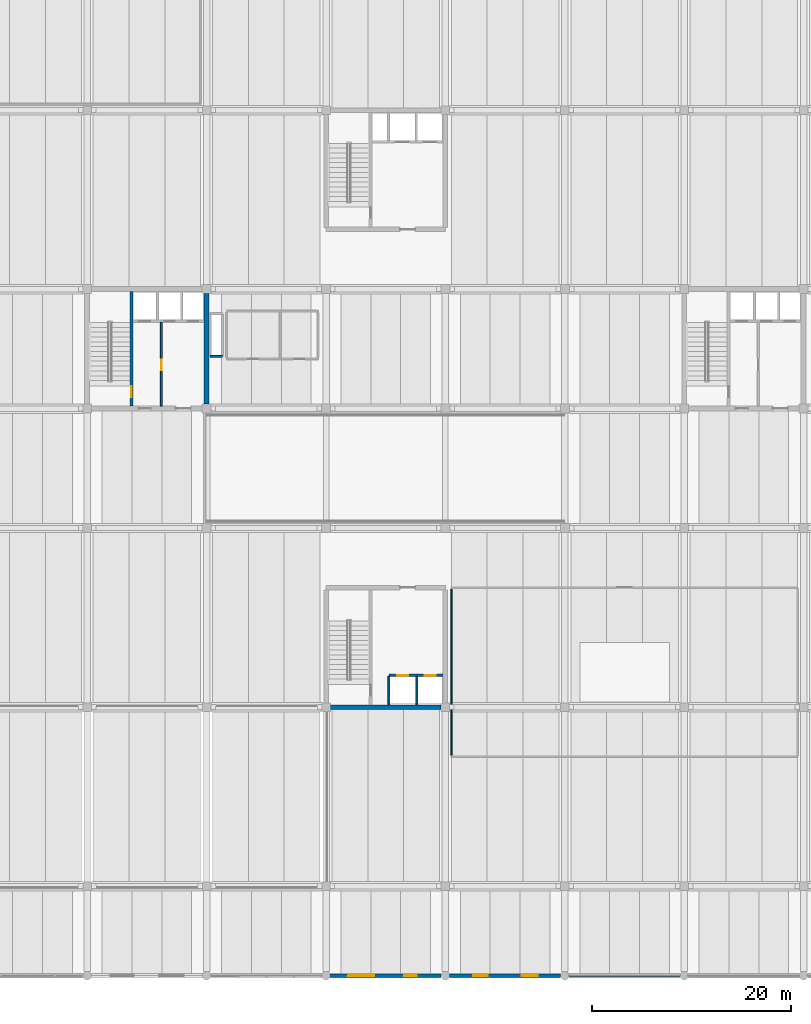
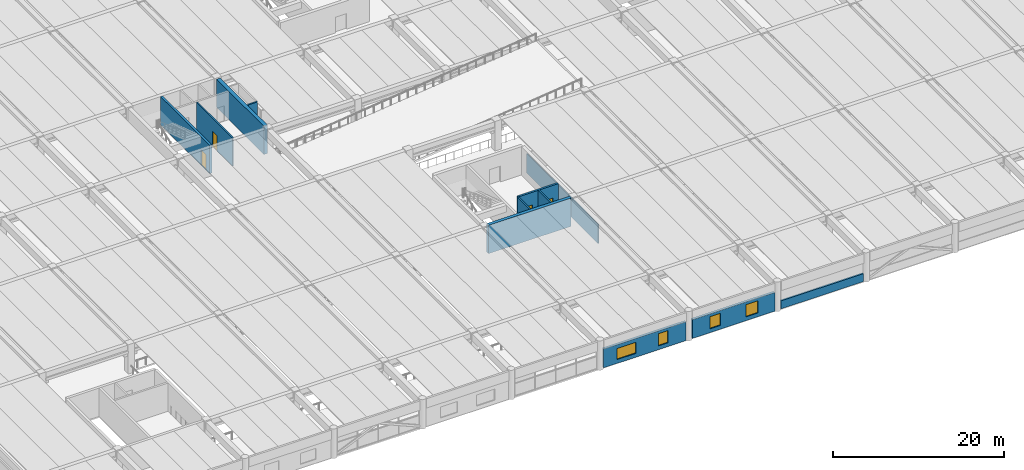
# One storey, part 34 of 50: 12 walls, 4 doors, 4 windows, 8 openings.
"""IFC4 building model written with IfcOpenShell, lengths in metres."""

from ifc_helpers import new_model, si_unit, direction, frame, frame_2d, origin, place, context, subcontext, project, spatial, rectangle, extrude, material, layer, layer_set, type_object, element, fill, save


model = new_model("IFC4")

# Units and contexts
model_context = context("Model", 3, precision=1e-05, world=origin(), true_north=direction((0.0, 1.0)))
body_context = subcontext(model_context, "Body", "Model", "MODEL_VIEW")
ifc_project = project(units=[si_unit("LENGTHUNIT", "METRE"), si_unit("AREAUNIT", "SQUARE_METRE"), si_unit("VOLUMEUNIT", "CUBIC_METRE"), si_unit("PLANEANGLEUNIT", "RADIAN"), si_unit("MASSUNIT", "GRAM", prefix="KILO")], contexts=[model_context])

# Site, building, storey
site_placement = place(None, origin())
site = spatial("IfcSite", under=ifc_project, at=site_placement, CompositionType="ELEMENT")
building_placement = place(site_placement, origin())
building = spatial("IfcBuilding", under=site, at=building_placement, Name="Girod Span Mobility Hub", CompositionType="ELEMENT")
storey_placement = place(building_placement, frame((0.0, 0.0, 5.39990234375)))
storey = spatial("IfcBuildingStorey", under=building, at=storey_placement, Name="L01", CompositionType="ELEMENT", Elevation=5.39990234375)

# Walls
ifc_material_1 = material(Name="Concrete C40/50", Category="concrete")
ifc_layer_1 = layer(ifc_material_1, 0.449951171875)
ifc_layer_set_1 = layer_set([ifc_layer_1], Name="Concrete C40/50")
wall_type_1 = type_object("IfcWallType", Name="W-CW-450", PredefinedType="SHEAR", material=ifc_layer_set_1)
wall_1_placement = place(storey_placement, frame((72.422119140625, 27.0, 0.0), z_axis=(0.0, 0.0, 1.0), x_axis=(1.0, 0.0, 0.0)))
element("IfcWall", 1, at=wall_1_placement, inside=storey, type_object=wall_type_1, Name="Core C3 Shear Wall S L01", PredefinedType="SHEAR", context=body_context, shape_type="SweptSolid", body=[
    extrude(rectangle(XDim=11.15576171875, YDim=0.449951171875, at=frame_2d((5.577880859375, 0.0))), origin(), (0.0, 0.0, 1.0), 4.043212890625),
])
ifc_material_2 = material(Name="Concrete C40/50", Category="concrete")
ifc_layer_2 = layer(ifc_material_2, 0.5)
ifc_layer_set_2 = layer_set([ifc_layer_2], Name="Concrete C40/50")
wall_type_2 = type_object("IfcWallType", Name="W-CW-500", PredefinedType="SHEAR", material=ifc_layer_set_2)
wall_2_placement = place(storey_placement, frame((60.0, 57.447021484375, 0.0), z_axis=(0.0, 0.0, 1.0), x_axis=(0.0, 1.0, 0.0)))
element("IfcWall", 2, at=wall_2_placement, inside=storey, type_object=wall_type_2, Name="Core C1 Shear Wall E L01", PredefinedType="SHEAR", context=body_context, shape_type="SweptSolid", body=[
    extrude(rectangle(XDim=11.10595703125, YDim=0.5, at=frame_2d((5.552978515625, 0.0))), origin(), (0.0, 0.0, 1.0), 4.043212890625),
])

# Wall, openings, windows
ifc_material_3 = material(Name="Precast Architectural Concrete C40/50", Category="concrete")
ifc_layer_3 = layer(ifc_material_3, 0.320068359375)
ifc_layer_set_3 = layer_set([ifc_layer_3], Name="Precast Architectural Concrete C40/50")
wall_type_3 = type_object("IfcWallType", Name="W-EXT-320", PredefinedType="SOLIDWALL", material=ifc_layer_set_3)
wall_3_placement = place(storey_placement, frame((72.423095703125, 0.0, 0.0), z_axis=(0.0, 0.0, 1.0), x_axis=(1.0, 0.0, 0.0)))
wall_3 = element("IfcWall", 3, at=wall_3_placement, inside=storey, type_object=wall_type_3, Name="Exterior Insulated Precast Wall S-7 L01", PredefinedType="SOLIDWALL", context=body_context, shape_type="SweptSolid", body=[
    extrude(rectangle(XDim=11.15380859375, YDim=0.320068359375, at=frame_2d((5.576904296875, 0.0))), origin(), (0.0, 0.0, 1.0), 2.690185546875),
])
opening_1_placement = place(wall_3_placement, frame((1.7900390625, 0.0, 0.550048828125)))
opening_1 = element("IfcOpeningElement", 4, at=opening_1_placement, cuts=wall_3, Name="Opening W-L01-S06A", PredefinedType="OPENING", context=body_context, shape_type="SweptSolid", body=[
    extrude(rectangle(XDim=2.6201171875, YDim=1.580078125, at=frame_2d((1.31005859375, 0.7900390625))), frame((0.0, 0.175048828125, 0.0), z_axis=(0.0, -1.0, 0.0), x_axis=(1.0, 0.0, 0.0)), (0.0, 0.0, 1.0), 0.35009765625),
])
opening_2_placement = place(wall_3_placement, frame((7.4140625, 0.0, 0.550048828125)))
opening_2 = element("IfcOpeningElement", 5, at=opening_2_placement, cuts=wall_3, Name="Opening W-L01-S06B", PredefinedType="OPENING", context=body_context, shape_type="SweptSolid", body=[
    extrude(rectangle(XDim=1.280029296875, YDim=1.739990234375, at=frame_2d((0.64013671875, 0.8701171875))), frame((0.0, 0.175048828125, 0.0), z_axis=(0.0, -1.0, 0.0), x_axis=(1.0, 0.0, 0.0)), (0.0, 0.0, 1.0), 0.35009765625),
])
ifc_material_4 = material(Name="Double Low-E Insulated Glazing", Category="glass")
window_type_1 = type_object("IfcWindowType", Name="WN-30", PartitioningType="DOUBLE_PANEL_VERTICAL", PredefinedType="WINDOW", material=ifc_material_4)
window_1_placement = place(opening_1_placement, origin())
window_1 = element("IfcWindow", 6, at=window_1_placement, inside=storey, type_object=window_type_1, Name="Gallery Window WN-30", OverallHeight=1.580078125, OverallWidth=2.6201171875, PartitioningType="DOUBLE_PANEL_VERTICAL", PredefinedType="WINDOW", context=body_context, shape_type="SweptSolid", body=[
    extrude(rectangle(XDim=2.6201171875, YDim=1.580078125, at=frame_2d((1.31005859375, 0.7900390625))), frame((0.0, 0.030029296875, 0.0), z_axis=(0.0, -1.0, 0.0), x_axis=(1.0, 0.0, 0.0)), (0.0, 0.0, 1.0), 0.06005859375),
])
fill(opening_1, window_1)
ifc_material_5 = material(Name="Double Low-E Insulated Glazing", Category="glass")
window_type_2 = type_object("IfcWindowType", Name="WN-31", PartitioningType="SINGLE_PANEL", PredefinedType="WINDOW", material=ifc_material_5)
window_2_placement = place(opening_2_placement, origin())
window_2 = element("IfcWindow", 7, at=window_2_placement, inside=storey, type_object=window_type_2, Name="Gallery Window WN-31", OverallHeight=1.739990234375, OverallWidth=1.280029296875, PartitioningType="SINGLE_PANEL", PredefinedType="WINDOW", context=body_context, shape_type="SweptSolid", body=[
    extrude(rectangle(XDim=1.280029296875, YDim=1.739990234375, at=frame_2d((0.64013671875, 0.8701171875))), frame((0.0, 0.030029296875, 0.0), z_axis=(0.0, -1.0, 0.0), x_axis=(1.0, 0.0, 0.0)), (0.0, 0.0, 1.0), 0.06005859375),
])
fill(opening_2, window_2)

wall_4_placement = place(storey_placement, frame((84.423095703125, 0.0, 0.0), z_axis=(0.0, 0.0, 1.0), x_axis=(1.0, 0.0, 0.0)))
wall_4 = element("IfcWall", 8, at=wall_4_placement, inside=storey, type_object=wall_type_3, Name="Exterior Insulated Precast Wall S-8 L01", PredefinedType="SOLIDWALL", context=body_context, shape_type="SweptSolid", body=[
    extrude(rectangle(XDim=11.15380859375, YDim=0.320068359375, at=frame_2d((5.576904296875, 0.0))), origin(), (0.0, 0.0, 1.0), 2.690185546875),
])
opening_3_placement = place(wall_4_placement, frame((2.3701171875, 0.0, 0.550048828125)))
opening_3 = element("IfcOpeningElement", 9, at=opening_3_placement, cuts=wall_4, Name="Opening W-L01-S07A", PredefinedType="OPENING", context=body_context, shape_type="SweptSolid", body=[
    extrude(rectangle(XDim=1.4599609375, YDim=1.739990234375, at=frame_2d((0.72998046875, 0.8701171875))), frame((0.0, 0.175048828125, 0.0), z_axis=(0.0, -1.0, 0.0), x_axis=(1.0, 0.0, 0.0)), (0.0, 0.0, 1.0), 0.35009765625),
])
opening_4_placement = place(wall_4_placement, frame((7.23388671875, 0.0, 0.550048828125)))
opening_4 = element("IfcOpeningElement", 10, at=opening_4_placement, cuts=wall_4, Name="Opening W-L01-S07B", PredefinedType="OPENING", context=body_context, shape_type="SweptSolid", body=[
    extrude(rectangle(XDim=1.639892578125, YDim=1.739990234375, at=frame_2d((0.81982421875, 0.8701171875))), frame((0.0, 0.175048828125, 0.0), z_axis=(0.0, -1.0, 0.0), x_axis=(1.0, 0.0, 0.0)), (0.0, 0.0, 1.0), 0.35009765625),
])
ifc_material_6 = material(Name="Double Low-E Insulated Glazing", Category="glass")
window_type_3 = type_object("IfcWindowType", Name="WN-32", PartitioningType="SINGLE_PANEL", PredefinedType="WINDOW", material=ifc_material_6)
window_3_placement = place(opening_3_placement, origin())
window_3 = element("IfcWindow", 11, at=window_3_placement, inside=storey, type_object=window_type_3, Name="Gallery Window WN-32", OverallHeight=1.739990234375, OverallWidth=1.4599609375, PartitioningType="SINGLE_PANEL", PredefinedType="WINDOW", context=body_context, shape_type="SweptSolid", body=[
    extrude(rectangle(XDim=1.4599609375, YDim=1.739990234375, at=frame_2d((0.72998046875, 0.8701171875))), frame((0.0, 0.030029296875, 0.0), z_axis=(0.0, -1.0, 0.0), x_axis=(1.0, 0.0, 0.0)), (0.0, 0.0, 1.0), 0.06005859375),
])
fill(opening_3, window_3)
ifc_material_7 = material(Name="Double Low-E Insulated Glazing", Category="glass")
window_type_4 = type_object("IfcWindowType", Name="WN-33", PartitioningType="SINGLE_PANEL", PredefinedType="WINDOW", material=ifc_material_7)
window_4_placement = place(opening_4_placement, origin())
window_4 = element("IfcWindow", 12, at=window_4_placement, inside=storey, type_object=window_type_4, Name="Gallery Window WN-33", OverallHeight=1.739990234375, OverallWidth=1.639892578125, PartitioningType="SINGLE_PANEL", PredefinedType="WINDOW", context=body_context, shape_type="SweptSolid", body=[
    extrude(rectangle(XDim=1.639892578125, YDim=1.739990234375, at=frame_2d((0.81982421875, 0.8701171875))), frame((0.0, 0.030029296875, 0.0), z_axis=(0.0, -1.0, 0.0), x_axis=(1.0, 0.0, 0.0)), (0.0, 0.0, 1.0), 0.06005859375),
])
fill(opening_4, window_4)

# Wall, opening, door
ifc_material_8 = material(Name="Concrete C40/50", Category="concrete")
ifc_layer_4 = layer(ifc_material_8, 0.18994140625)
ifc_layer_set_4 = layer_set([ifc_layer_4], Name="Concrete C40/50")
wall_type_4 = type_object("IfcWallType", Name="W-FL-190", PredefinedType="SOLIDWALL", material=ifc_layer_set_4)
wall_5_placement = place(storey_placement, frame((55.449951171875, 57.25, 0.0), z_axis=(0.0, 0.0, 1.0), x_axis=(0.0, 1.0, 0.0)))
wall_5 = element("IfcWall", 13, at=wall_5_placement, inside=storey, type_object=wall_type_4, Name="Core C1 Firefighting Lobby Wall L01", PredefinedType="SOLIDWALL", context=body_context, shape_type="SweptSolid", body=[
    extrude(rectangle(XDim=8.429931640625, YDim=0.18994140625, at=frame_2d((4.21484375, 0.0))), origin(), (0.0, 0.0, 1.0), 4.033203125),
])
opening_5_placement = place(wall_5_placement, frame((3.60009765625, 0.0, 0.0)))
opening_5 = element("IfcOpeningElement", 14, at=opening_5_placement, cuts=wall_5, Name="Opening D-FLX-C1-L01", PredefinedType="OPENING", context=body_context, shape_type="SweptSolid", body=[
    extrude(rectangle(XDim=1.0400390625, YDim=2.179931640625, at=frame_2d((0.52001953125, 1.08984375))), frame((0.0, 0.10986328125, 0.0), z_axis=(0.0, -1.0, 0.0), x_axis=(1.0, 0.0, 0.0)), (0.0, 0.0, 1.0), 0.219970703125),
])
ifc_material_9 = material(Name="Fire-Rated Insulated Hollow Metal Steel", Category="steel")
door_type_1 = type_object("IfcDoorType", Name="DT-FD-02", OperationType="NOTDEFINED", PredefinedType="DOOR", material=ifc_material_9)
door_1_placement = place(opening_5_placement, origin())
door_1 = element("IfcDoor", 15, at=door_1_placement, inside=storey, type_object=door_type_1, Name="Firefighting Lobby Interconnect Door C1 L01", OperationType="SINGLE_SWING_RIGHT", OverallHeight=2.179931640625, OverallWidth=1.0400390625, PredefinedType="DOOR", context=body_context, shape_type="SweptSolid", body=[
    extrude(rectangle(XDim=1.0400390625, YDim=2.179931640625, at=frame_2d((0.52001953125, 1.08984375))), frame((0.0, 0.02490234375, 0.0), z_axis=(0.0, -1.0, 0.0), x_axis=(1.0, 0.0, 0.0)), (0.0, 0.0, 1.0), 0.050048828125),
])
fill(opening_5, door_1)

# Walls
ifc_material_10 = material(Name="Precast Architectural Concrete C40/50", Category="concrete")
ifc_layer_5 = layer(ifc_material_10, 0.239990234375)
ifc_layer_set_5 = layer_set([ifc_layer_5], Name="Precast Architectural Concrete C40/50")
wall_type_5 = type_object("IfcWallType", Name="W-PAR-240", PredefinedType="PARAPET", material=ifc_layer_set_5)
wall_6_placement = place(storey_placement, frame((96.423095703125, 0.0, 0.0), z_axis=(0.0, 0.0, 1.0), x_axis=(1.0, 0.0, 0.0)))
element("IfcWall", 16, at=wall_6_placement, inside=storey, type_object=wall_type_5, Name="Precast Parking Barrier Parapet S-9 L01", PredefinedType="PARAPET", context=body_context, shape_type="SweptSolid", body=[
    extrude(rectangle(XDim=11.15380859375, YDim=0.239990234375, at=frame_2d((5.576904296875, 0.0))), origin(), (0.0, 0.0, 1.0), 1.150146484375),
])
ifc_material_11 = material(Name="Fire-Rated Gypsum Board on Metal Studs", Category="gypsum")
ifc_layer_6 = layer(ifc_material_11, 0.125)
ifc_layer_set_6 = layer_set([ifc_layer_6], Name="Fire-Rated Gypsum Board on Metal Studs")
wall_type_6 = type_object("IfcWallType", Name="W-PT-125", PredefinedType="PARTITIONING", material=ifc_layer_set_6)
wall_7_placement = place(storey_placement, frame((84.60009765625, 22.159912109375, 0.0), z_axis=(0.0, 0.0, 1.0), x_axis=(0.0, 1.0, 0.0)))
element("IfcWall", 17, at=wall_7_placement, inside=storey, type_object=wall_type_6, Name="Transit Concourse Overlook Lounge Partition W", PredefinedType="PARTITIONING", context=body_context, shape_type="SweptSolid", body=[
    extrude(rectangle(XDim=16.68017578125, YDim=0.125, at=frame_2d((8.340087890625, 0.0))), origin(), (0.0, 0.0, 1.0), 2.75),
])
ifc_material_12 = material(Name="Concrete C40/50", Category="concrete")
ifc_layer_7 = layer(ifc_material_12, 0.199951171875)
ifc_layer_set_7 = layer_set([ifc_layer_7], Name="Concrete C40/50")
wall_type_7 = type_object("IfcWallType", Name="W-SH-200", PredefinedType="SOLIDWALL", material=ifc_layer_set_7)
wall_8_placement = place(storey_placement, frame((60.346923828125, 62.25, 0.0), z_axis=(0.0, 0.0, 1.0), x_axis=(1.0, 0.0, 0.0)))
element("IfcWall", 18, at=wall_8_placement, inside=storey, type_object=wall_type_7, Name="Sanitary Wet Riser Shaft Wall S L01", PredefinedType="SOLIDWALL", context=body_context, shape_type="SweptSolid", body=[
    extrude(rectangle(XDim=1.233154296875, YDim=0.199951171875, at=frame_2d((0.61669921875, 0.0))), origin(), (0.0, 0.0, 1.0), 4.043212890625),
])
for number, where, z_axis, x_axis, name in (
    (19, (78.320068359375, 27.22509765625, 0.0), (0.0, 0.0, 1.0), (0.0, 1.0, 0.0), "Core C3 Shaft Divider 1 L01"),
    (20, (81.1201171875, 27.22509765625, 0.0), (0.0, 0.0, 1.0), (0.0, 1.0, 0.0), "Core C3 Shaft Divider 2 L01"),
):
    element("IfcWall", number, at=place(storey_placement, frame(where, z_axis=z_axis, x_axis=x_axis)), inside=storey, type_object=wall_type_7, Name=name, PredefinedType="SOLIDWALL", context=body_context, shape_type="SweptSolid", body=[
        extrude(rectangle(XDim=2.85498046875, YDim=0.199951171875, at=frame_2d((1.427490234375, 0.0))), origin(), (0.0, 0.0, 1.0), 4.033203125),
    ])

# Wall, openings, doors
ifc_material_13 = material(Name="Concrete C40/50", Category="concrete")
ifc_layer_8 = layer(ifc_material_13, 0.25)
ifc_layer_set_8 = layer_set([ifc_layer_8], Name="Concrete C40/50")
wall_type_8 = type_object("IfcWallType", Name="W-SH-250", PredefinedType="SOLIDWALL", material=ifc_layer_set_8)
wall_9_placement = place(storey_placement, frame((78.320068359375, 30.199951171875, 0.0), z_axis=(0.0, 0.0, 1.0), x_axis=(1.0, 0.0, 0.0)))
wall_9 = element("IfcWall", 21, at=wall_9_placement, inside=storey, type_object=wall_type_8, Name="Core C3 Hoistway Front Wall L01", PredefinedType="SOLIDWALL", context=body_context, shape_type="SweptSolid", body=[
    extrude(rectangle(XDim=5.4580078125, YDim=0.25, at=frame_2d((2.72900390625, 0.0))), origin(), (0.0, 0.0, 1.0), 4.043212890625),
])
opening_6_placement = place(wall_9_placement, frame((0.860107421875, 0.0, 0.0)))
opening_6 = element("IfcOpeningElement", 22, at=opening_6_placement, cuts=wall_9, Name="Opening LD-LP-5-L01", PredefinedType="OPENING", context=body_context, shape_type="SweptSolid", body=[
    extrude(rectangle(XDim=1.080078125, YDim=2.219970703125, at=frame_2d((0.5400390625, 1.10986328125))), frame((0.0, 0.139892578125, 0.0), z_axis=(0.0, -1.0, 0.0), x_axis=(1.0, 0.0, 0.0)), (0.0, 0.0, 1.0), 0.280029296875),
])
opening_7_placement = place(wall_9_placement, frame((3.610107421875, 0.0, 0.0)))
opening_7 = element("IfcOpeningElement", 23, at=opening_7_placement, cuts=wall_9, Name="Opening LD-LP-6-L01", PredefinedType="OPENING", context=body_context, shape_type="SweptSolid", body=[
    extrude(rectangle(XDim=1.080078125, YDim=2.219970703125, at=frame_2d((0.5400390625, 1.10986328125))), frame((0.0, 0.139892578125, 0.0), z_axis=(0.0, -1.0, 0.0), x_axis=(1.0, 0.0, 0.0)), (0.0, 0.0, 1.0), 0.280029296875),
])
ifc_material_14 = material(Name="Brushed Stainless Steel Grade 304", Category="steel")
door_type_2 = type_object("IfcDoorType", Name="LD-LP-108", OperationType="SLIDING_TO_LEFT", PredefinedType="USERDEFINED", material=ifc_material_14)
door_2_placement = place(opening_6_placement, origin())
door_2 = element("IfcDoor", 24, at=door_2_placement, inside=storey, type_object=door_type_2, Name="Lift LP-5 Sliding Landing Door L01", ObjectType="LANDING DOOR", OperationType="SLIDING_TO_LEFT", OverallHeight=2.219970703125, OverallWidth=1.080078125, PredefinedType="USERDEFINED", context=body_context, shape_type="SweptSolid", body=[
    extrude(rectangle(XDim=1.080078125, YDim=2.219970703125, at=frame_2d((0.5400390625, 1.10986328125))), frame((0.0, 0.02490234375, 0.0), z_axis=(0.0, -1.0, 0.0), x_axis=(1.0, 0.0, 0.0)), (0.0, 0.0, 1.0), 0.050048828125),
])
fill(opening_6, door_2)
door_3_placement = place(opening_7_placement, origin())
door_3 = element("IfcDoor", 25, at=door_3_placement, inside=storey, type_object=door_type_2, Name="Lift LP-6 Sliding Landing Door L01", ObjectType="LANDING DOOR", OperationType="SLIDING_TO_LEFT", OverallHeight=2.219970703125, OverallWidth=1.080078125, PredefinedType="USERDEFINED", context=body_context, shape_type="SweptSolid", body=[
    extrude(rectangle(XDim=1.080078125, YDim=2.219970703125, at=frame_2d((0.5400390625, 1.10986328125))), frame((0.0, 0.02490234375, 0.0), z_axis=(0.0, -1.0, 0.0), x_axis=(1.0, 0.0, 0.0)), (0.0, 0.0, 1.0), 0.050048828125),
])
fill(opening_7, door_3)

# Wall, opening, door
ifc_material_15 = material(Name="Concrete C40/50", Category="concrete")
ifc_layer_9 = layer(ifc_material_15, 0.300048828125)
ifc_layer_set_9 = layer_set([ifc_layer_9], Name="Concrete C40/50")
wall_type_9 = type_object("IfcWallType", Name="W-SH-300", PredefinedType="SHEAR", material=ifc_layer_set_9)
wall_10_placement = place(storey_placement, frame((52.449951171875, 57.2470703125, 0.0), z_axis=(0.0, 0.0, 1.0), x_axis=(0.0, 1.0, 0.0)))
wall_10 = element("IfcWall", 26, at=wall_10_placement, inside=storey, type_object=wall_type_9, Name="Core C1 Stairwell Spine Wall L01", PredefinedType="SHEAR", context=body_context, shape_type="SweptSolid", body=[
    extrude(rectangle(XDim=11.505859375, YDim=0.300048828125, at=frame_2d((5.7529296875, 0.0))), origin(), (0.0, 0.0, 1.0), 4.043212890625),
])
opening_8_placement = place(wall_10_placement, frame((0.89990234375, 0.0, 0.0)))
opening_8 = element("IfcOpeningElement", 27, at=opening_8_placement, cuts=wall_10, Name="Opening D-ST-1-L01", PredefinedType="OPENING", context=body_context, shape_type="SweptSolid", body=[
    extrude(rectangle(XDim=1.10009765625, YDim=2.199951171875, at=frame_2d((0.550048828125, 1.10009765625))), frame((0.0, 0.1650390625, 0.0), z_axis=(0.0, -1.0, 0.0), x_axis=(1.0, 0.0, 0.0)), (0.0, 0.0, 1.0), 0.330078125),
])
ifc_material_16 = material(Name="Fire-Rated Insulated Hollow Metal Steel", Category="steel")
door_type_3 = type_object("IfcDoorType", Name="DT-FD-01", OperationType="NOTDEFINED", PredefinedType="DOOR", material=ifc_material_16)
door_4_placement = place(opening_8_placement, origin())
door_4 = element("IfcDoor", 28, at=door_4_placement, inside=storey, type_object=door_type_3, Name="Stair ST-1 Fire Door L01", OperationType="SINGLE_SWING_LEFT", OverallHeight=2.199951171875, OverallWidth=1.10009765625, PredefinedType="DOOR", context=body_context, shape_type="SweptSolid", body=[
    extrude(rectangle(XDim=1.10009765625, YDim=2.199951171875, at=frame_2d((0.550048828125, 1.10009765625))), frame((0.0, 0.02490234375, 0.0), z_axis=(0.0, -1.0, 0.0), x_axis=(1.0, 0.0, 0.0)), (0.0, 0.0, 1.0), 0.050048828125),
])
fill(opening_8, door_4)

save(model, "model.ifc")
